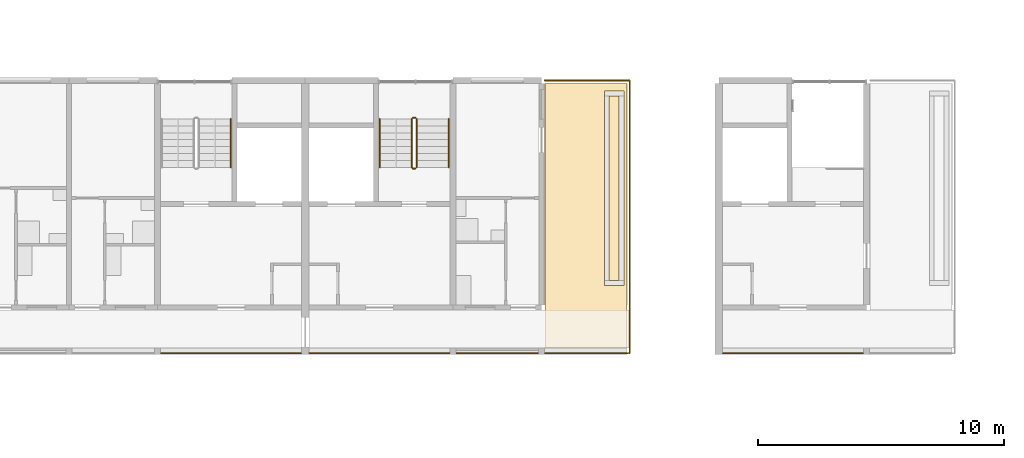
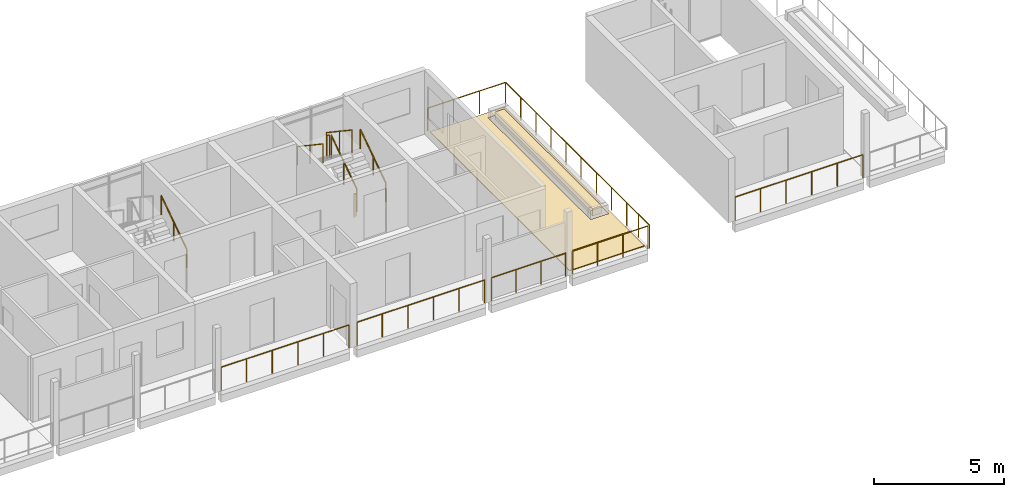
# One storey, part 81 of 94: 14 railings, 3 coverings.
"""IFC4 building model written with IfcOpenShell, lengths in metres."""

from ifc_helpers import new_model, si_unit, direction, frame, origin, origin_2d, place, context, subcontext, project, spatial, polyline, circle, outline, extrude, material, layer, layer_set, type_object, element, save


model = new_model("IFC4")

# Units and contexts
model_context = context("Model", 3, precision=1e-05, world=origin(), true_north=direction((0.0, 1.0)))
body_context = subcontext(model_context, "Body", "Model", "MODEL_VIEW")
ifc_project = project(units=[si_unit("LENGTHUNIT", "METRE"), si_unit("AREAUNIT", "SQUARE_METRE"), si_unit("VOLUMEUNIT", "CUBIC_METRE"), si_unit("PLANEANGLEUNIT", "RADIAN"), si_unit("MASSUNIT", "GRAM", prefix="KILO")], contexts=[model_context])

# Site, building, storey
site_placement = place(None, origin())
site = spatial("IfcSite", under=ifc_project, at=site_placement, CompositionType="ELEMENT")
building_placement = place(site_placement, origin())
building = spatial("IfcBuilding", under=site, at=building_placement, Name="Ridgestep Commons", CompositionType="ELEMENT")
storey_placement = place(building_placement, frame((0.0, 0.0, 24.0)))
storey = spatial("IfcBuildingStorey", under=building, at=storey_placement, Name="L08", CompositionType="ELEMENT", Elevation=24.0)

# Railings
ifc_material_1 = material(Name="Structural steel S355JR", Category="steel")
railing_type_1 = type_object("IfcRailingType", Name="Guard 1100", PredefinedType="GUARDRAIL", material=ifc_material_1)
railing_1_placement = place(storey_placement, frame((92.37890625, 67.821044921875, 0.0)))
element("IfcRailing", 1, at=railing_1_placement, inside=storey, type_object=railing_type_1, Name="Guard TD-B5R2-GD", PredefinedType="GUARDRAIL", context=body_context, shape_type="SweptSolid", body=[
    extrude(circle(Radius=0.02392578125, at=origin_2d()), frame((0.0, 0.0, 1.076171875), z_axis=(0.0, 1.0, 0.0), x_axis=(-1.0, 0.0, 0.0)), (0.0, 0.0, 1.0), 9.303955078125),
    extrude(circle(Radius=0.02392578125, at=origin_2d()), frame((0.0, 9.303955078125, 1.076171875), z_axis=(-1.0, 0.0, 0.0), x_axis=(0.0, -1.0, 0.0)), (0.0, 0.0, 1.0), 3.4580078125),
    extrude(circle(Radius=0.02099609375, at=origin_2d()), origin(), (0.0, 0.0, 1.0), 1.052001953125),
    extrude(circle(Radius=0.02099609375, at=origin_2d()), frame((0.0, 1.1630859375, 0.0)), (0.0, 0.0, 1.0), 1.052001953125),
    extrude(circle(Radius=0.02099609375, at=origin_2d()), frame((0.0, 2.325927734375, 0.0)), (0.0, 0.0, 1.0), 1.052001953125),
    extrude(circle(Radius=0.02099609375, at=origin_2d()), frame((0.0, 3.489013671875, 0.0)), (0.0, 0.0, 1.0), 1.052001953125),
    extrude(circle(Radius=0.02099609375, at=origin_2d()), frame((0.0, 4.65185546875, 0.0)), (0.0, 0.0, 1.0), 1.052001953125),
    extrude(circle(Radius=0.02099609375, at=origin_2d()), frame((0.0, 5.81494140625, 0.0)), (0.0, 0.0, 1.0), 1.052001953125),
    extrude(circle(Radius=0.02099609375, at=origin_2d()), frame((0.0, 6.97802734375, 0.0)), (0.0, 0.0, 1.0), 1.052001953125),
    extrude(circle(Radius=0.02099609375, at=origin_2d()), frame((0.0, 8.140869140625, 0.0)), (0.0, 0.0, 1.0), 1.052001953125),
    extrude(circle(Radius=0.02099609375, at=origin_2d()), frame((0.0, 9.303955078125, 0.0)), (0.0, 0.0, 1.0), 1.052001953125),
    extrude(circle(Radius=0.02099609375, at=origin_2d()), frame((-1.152587890625, 9.303955078125, 0.0)), (0.0, 0.0, 1.0), 1.052001953125),
    extrude(circle(Radius=0.02099609375, at=origin_2d()), frame((-2.305419921875, 9.303955078125, 0.0)), (0.0, 0.0, 1.0), 1.052001953125),
    extrude(circle(Radius=0.02099609375, at=origin_2d()), frame((-3.4580078125, 9.303955078125, 0.0)), (0.0, 0.0, 1.0), 1.052001953125),
])
railing_2_placement = place(storey_placement, frame((73.345947265625, 66.050048828125, 0.0)))
element("IfcRailing", 2, at=railing_2_placement, inside=storey, type_object=railing_type_1, Name="Gallery guard B 08.4", PredefinedType="GUARDRAIL", context=body_context, shape_type="SweptSolid", body=[
    extrude(circle(Radius=0.02392578125, at=origin_2d()), frame((0.0, 0.0, 1.076171875), z_axis=(1.0, 0.0, 0.0), x_axis=(0.0, 1.0, 0.0)), (0.0, 0.0, 1.0), 5.68310546875),
    extrude(circle(Radius=0.02099609375, at=origin_2d()), origin(), (0.0, 0.0, 1.0), 1.052001953125),
    extrude(circle(Radius=0.02099609375, at=origin_2d()), frame((1.13671875, 0.0, 0.0)), (0.0, 0.0, 1.0), 1.052001953125),
    extrude(circle(Radius=0.02099609375, at=origin_2d()), frame((2.273193359375, 0.0, 0.0)), (0.0, 0.0, 1.0), 1.052001953125),
    extrude(circle(Radius=0.02099609375, at=origin_2d()), frame((3.409912109375, 0.0, 0.0)), (0.0, 0.0, 1.0), 1.052001953125),
    extrude(circle(Radius=0.02099609375, at=origin_2d()), frame((4.54638671875, 0.0, 0.0)), (0.0, 0.0, 1.0), 1.052001953125),
    extrude(circle(Radius=0.02099609375, at=origin_2d()), frame((5.68310546875, 0.0, 0.0)), (0.0, 0.0, 1.0), 1.052001953125),
])
railing_3_placement = place(storey_placement, frame((79.37109375, 66.050048828125, 0.0)))
element("IfcRailing", 3, at=railing_3_placement, inside=storey, type_object=railing_type_1, Name="Gallery guard B 08.5", PredefinedType="GUARDRAIL", context=body_context, shape_type="SweptSolid", body=[
    extrude(circle(Radius=0.02392578125, at=origin_2d()), frame((0.0, 0.0, 1.076171875), z_axis=(1.0, 0.0, 0.0), x_axis=(0.0, 1.0, 0.0)), (0.0, 0.0, 1.0), 5.682861328125),
    extrude(circle(Radius=0.02099609375, at=origin_2d()), origin(), (0.0, 0.0, 1.0), 1.052001953125),
    extrude(circle(Radius=0.02099609375, at=origin_2d()), frame((1.136474609375, 0.0, 0.0)), (0.0, 0.0, 1.0), 1.052001953125),
    extrude(circle(Radius=0.02099609375, at=origin_2d()), frame((2.273193359375, 0.0, 0.0)), (0.0, 0.0, 1.0), 1.052001953125),
    extrude(circle(Radius=0.02099609375, at=origin_2d()), frame((3.40966796875, 0.0, 0.0)), (0.0, 0.0, 1.0), 1.052001953125),
    extrude(circle(Radius=0.02099609375, at=origin_2d()), frame((4.54638671875, 0.0, 0.0)), (0.0, 0.0, 1.0), 1.052001953125),
    extrude(circle(Radius=0.02099609375, at=origin_2d()), frame((5.682861328125, 0.0, 0.0)), (0.0, 0.0, 1.0), 1.052001953125),
])
railing_4_placement = place(storey_placement, frame((85.345947265625, 66.050048828125, 0.0)))
element("IfcRailing", 4, at=railing_4_placement, inside=storey, type_object=railing_type_1, Name="Gallery guard B 08.6", PredefinedType="GUARDRAIL", context=body_context, shape_type="SweptSolid", body=[
    extrude(circle(Radius=0.02392578125, at=origin_2d()), frame((0.0, 0.0, 1.076171875), z_axis=(1.0, 0.0, 0.0), x_axis=(0.0, 1.0, 0.0)), (0.0, 0.0, 1.0), 3.30810546875),
    extrude(circle(Radius=0.02099609375, at=origin_2d()), origin(), (0.0, 0.0, 1.0), 1.052001953125),
    extrude(circle(Radius=0.02099609375, at=origin_2d()), frame((1.102783203125, 0.0, 0.0)), (0.0, 0.0, 1.0), 1.052001953125),
    extrude(circle(Radius=0.02099609375, at=origin_2d()), frame((2.205322265625, 0.0, 0.0)), (0.0, 0.0, 1.0), 1.052001953125),
    extrude(circle(Radius=0.02099609375, at=origin_2d()), frame((3.30810546875, 0.0, 0.0)), (0.0, 0.0, 1.0), 1.052001953125),
])
railing_5_placement = place(storey_placement, frame((88.946044921875, 66.050048828125, 0.0)))
element("IfcRailing", 5, at=railing_5_placement, inside=storey, type_object=railing_type_1, Name="Gallery guard B 08.7", PredefinedType="GUARDRAIL", context=body_context, shape_type="SweptSolid", body=[
    extrude(circle(Radius=0.02392578125, at=origin_2d()), frame((0.0, 0.0, 1.076171875), z_axis=(1.0, 0.0, 0.0), x_axis=(0.0, 1.0, 0.0)), (0.0, 0.0, 1.0), 3.369873046875),
    extrude(circle(Radius=0.02099609375, at=origin_2d()), origin(), (0.0, 0.0, 1.0), 1.052001953125),
    extrude(circle(Radius=0.02099609375, at=origin_2d()), frame((1.123291015625, 0.0, 0.0)), (0.0, 0.0, 1.0), 1.052001953125),
    extrude(circle(Radius=0.02099609375, at=origin_2d()), frame((2.24658203125, 0.0, 0.0)), (0.0, 0.0, 1.0), 1.052001953125),
    extrude(circle(Radius=0.02099609375, at=origin_2d()), frame((3.369873046875, 0.0, 0.0)), (0.0, 0.0, 1.0), 1.052001953125),
])
railing_6_placement = place(storey_placement, frame((92.37890625, 66.050048828125, 0.0)))
element("IfcRailing", 6, at=railing_6_placement, inside=storey, type_object=railing_type_1, Name="Gallery end guard B 08.7E", PredefinedType="GUARDRAIL", context=body_context, shape_type="SweptSolid", body=[
    extrude(circle(Radius=0.02392578125, at=origin_2d()), frame((0.0, 0.0, 1.076171875), z_axis=(0.0, 1.0, 0.0), x_axis=(-1.0, 0.0, 0.0)), (0.0, 0.0, 1.0), 1.72900390625),
    extrude(circle(Radius=0.02099609375, at=origin_2d()), origin(), (0.0, 0.0, 1.0), 1.052001953125),
    extrude(circle(Radius=0.02099609375, at=origin_2d()), frame((0.0, 0.864501953125, 0.0)), (0.0, 0.0, 1.0), 1.052001953125),
    extrude(circle(Radius=0.02099609375, at=origin_2d()), frame((0.0, 1.72900390625, 0.0)), (0.0, 0.0, 1.0), 1.052001953125),
])
railing_7_placement = place(storey_placement, frame((96.1708984375, 66.050048828125, 0.0)))
element("IfcRailing", 7, at=railing_7_placement, inside=storey, type_object=railing_type_1, Name="Gallery guard B 08.1", PredefinedType="GUARDRAIL", context=body_context, shape_type="SweptSolid", body=[
    extrude(circle(Radius=0.02392578125, at=origin_2d()), frame((0.0, 0.0, 1.076171875), z_axis=(1.0, 0.0, 0.0), x_axis=(0.0, 1.0, 0.0)), (0.0, 0.0, 1.0), 5.68310546875),
    extrude(circle(Radius=0.02099609375, at=origin_2d()), origin(), (0.0, 0.0, 1.0), 1.052001953125),
    extrude(circle(Radius=0.02099609375, at=origin_2d()), frame((1.13671875, 0.0, 0.0)), (0.0, 0.0, 1.0), 1.052001953125),
    extrude(circle(Radius=0.02099609375, at=origin_2d()), frame((2.273193359375, 0.0, 0.0)), (0.0, 0.0, 1.0), 1.052001953125),
    extrude(circle(Radius=0.02099609375, at=origin_2d()), frame((3.409912109375, 0.0, 0.0)), (0.0, 0.0, 1.0), 1.052001953125),
    extrude(circle(Radius=0.02099609375, at=origin_2d()), frame((4.54638671875, 0.0, 0.0)), (0.0, 0.0, 1.0), 1.052001953125),
    extrude(circle(Radius=0.02099609375, at=origin_2d()), frame((5.68310546875, 0.0, 0.0)), (0.0, 0.0, 1.0), 1.052001953125),
])

# Covering
ifc_material_2 = material(Name="Planting soil")
ifc_layer_1 = layer(ifc_material_2, 0.35009765625)
ifc_layer_set_1 = layer_set([ifc_layer_1], Name="Planting soil 350")
covering_type_1 = type_object("IfcCoveringType", Name="Planting soil 350", PredefinedType="FLOORING", material=ifc_layer_set_1)
covering_1_placement = place(storey_placement, frame((0.0, 0.0, 0.010009765625)))
element("IfcCovering", 8, at=covering_1_placement, inside=storey, type_object=covering_type_1, Name="Planting soil B5R2", PredefinedType="FLOORING", context=body_context, shape_type="SweptSolid", body=[
    extrude(outline(polyline([(91.550048828125, 69.0), (91.949951171875, 69.0), (91.949951171875, 76.5), (91.550048828125, 76.5), (91.550048828125, 69.0)])), origin(), (0.0, 0.0, 1.0), 0.35009765625),
])

# Railings
ifc_material_3 = material(Name="Structural steel S355JR", Category="steel")
railing_type_2 = type_object("IfcRailingType", Name="Stair guard 1100", PredefinedType="GUARDRAIL", material=ifc_material_3)
railing_8_placement = place(storey_placement, frame((83.72509765625, 73.60009765625, 0.1875)))
element("IfcRailing", 9, at=railing_8_placement, inside=storey, type_object=railing_type_2, Name="L08 B5C stair guard 1", PredefinedType="GUARDRAIL", context=body_context, shape_type="SweptSolid", body=[
    extrude(circle(Radius=0.02392578125, at=origin_2d()), frame((0.0, 0.0, 1.076171875), z_axis=(0.0, 0.830902050051, 0.556418712142), x_axis=(-1.0, 0.0, 0.0)), (0.0, 0.0, 1.0), 2.35888671875),
    extrude(circle(Radius=0.02099609375, at=origin_2d()), origin(), (0.0, 0.0, 1.0), 1.052001953125),
    extrude(circle(Radius=0.02099609375, at=origin_2d()), frame((0.0, 0.97998046875, 0.65625)), (0.0, 0.0, 1.0), 1.052001953125),
    extrude(circle(Radius=0.02099609375, at=origin_2d()), frame((0.0, 1.9599609375, 1.3125)), (0.0, 0.0, 1.0), 1.052001953125),
])
railing_9_placement = place(storey_placement, frame((83.675048828125, 75.610107421875, 1.5)))
element("IfcRailing", 10, at=railing_9_placement, inside=storey, type_object=railing_type_2, Name="L08 B5C stair guard 2", PredefinedType="GUARDRAIL", context=body_context, shape_type="SweptSolid", body=[
    extrude(circle(Radius=0.02392578125, at=origin_2d()), frame((0.0, 0.0, 1.076171875), z_axis=(-1.0, 0.0, 0.0), x_axis=(0.0, -1.0, 0.0)), (0.0, 0.0, 1.0), 0.10009765625),
    extrude(circle(Radius=0.02099609375, at=origin_2d()), origin(), (0.0, 0.0, 1.0), 1.052001953125),
    extrude(circle(Radius=0.02099609375, at=origin_2d()), frame((-0.10009765625, 0.0, 0.0)), (0.0, 0.0, 1.0), 1.052001953125),
])
railing_10_placement = place(storey_placement, frame((83.52490234375, 75.56005859375, 1.6875)))
element("IfcRailing", 11, at=railing_10_placement, inside=storey, type_object=railing_type_2, Name="L08 B5C stair guard 3", PredefinedType="GUARDRAIL", context=body_context, shape_type="SweptSolid", body=[
    extrude(circle(Radius=0.02392578125, at=origin_2d()), frame((0.0, 0.0, 1.076171875), z_axis=(0.0, -0.830902050051, 0.556418712142), x_axis=(1.0, 0.0, 0.0)), (0.0, 0.0, 1.0), 2.35888671875),
    extrude(circle(Radius=0.02099609375, at=origin_2d()), origin(), (0.0, 0.0, 1.0), 1.052001953125),
    extrude(circle(Radius=0.02099609375, at=origin_2d()), frame((0.0, -0.97998046875, 0.65625)), (0.0, 0.0, 1.0), 1.052001953125),
    extrude(circle(Radius=0.02099609375, at=origin_2d()), frame((0.0, -1.9599609375, 1.3125)), (0.0, 0.0, 1.0), 1.052001953125),
])
railing_11_placement = place(storey_placement, frame((83.675048828125, 73.550048828125, 0.0)))
element("IfcRailing", 12, at=railing_11_placement, inside=storey, type_object=railing_type_2, Name="L08 B5C stair guard 4", PredefinedType="GUARDRAIL", context=body_context, shape_type="SweptSolid", body=[
    extrude(circle(Radius=0.02392578125, at=origin_2d()), frame((0.0, 0.0, 1.076171875), z_axis=(-1.0, 0.0, 0.0), x_axis=(0.0, -1.0, 0.0)), (0.0, 0.0, 1.0), 0.10009765625),
    extrude(circle(Radius=0.02099609375, at=origin_2d()), origin(), (0.0, 0.0, 1.0), 1.052001953125),
    extrude(circle(Radius=0.02099609375, at=origin_2d()), frame((-0.10009765625, 0.0, 0.0)), (0.0, 0.0, 1.0), 1.052001953125),
])
ifc_material_4 = material(Name="Structural steel S355JR", Category="steel")
railing_type_3 = type_object("IfcRailingType", Name="Stair handrail 900", PredefinedType="HANDRAIL", material=ifc_material_4)
for number, where, name in (
    (13, (76.175048828125, 73.60009765625, 0.1875), "L08 B4C stair handrail 1"),
    (14, (85.02490234375, 73.60009765625, 0.1875), "L08 B5C stair handrail 1"),
):
    element("IfcRailing", number, at=place(storey_placement, frame(where)), inside=storey, type_object=railing_type_3, Name=name, PredefinedType="HANDRAIL", context=body_context, shape_type="SweptSolid", body=[
        extrude(circle(Radius=0.02392578125, at=origin_2d()), frame((0.0, 0.0, 0.8759765625), z_axis=(0.0, 0.830902050051, 0.556418712142), x_axis=(-1.0, 0.0, 0.0)), (0.0, 0.0, 1.0), 2.35888671875),
        extrude(circle(Radius=0.02099609375, at=origin_2d()), origin(), (0.0, 0.0, 1.0), 0.851806640625),
        extrude(circle(Radius=0.02099609375, at=origin_2d()), frame((0.0, 0.97998046875, 0.65625)), (0.0, 0.0, 1.0), 0.851806640625),
        extrude(circle(Radius=0.02099609375, at=origin_2d()), frame((0.0, 1.9599609375, 1.3125)), (0.0, 0.0, 1.0), 0.851806640625),
    ])
railing_12_placement = place(storey_placement, frame((82.22509765625, 75.56005859375, 1.6875)))
element("IfcRailing", 15, at=railing_12_placement, inside=storey, type_object=railing_type_3, Name="L08 B5C stair handrail 2", PredefinedType="HANDRAIL", context=body_context, shape_type="SweptSolid", body=[
    extrude(circle(Radius=0.02392578125, at=origin_2d()), frame((0.0, 0.0, 0.8759765625), z_axis=(0.0, -0.830902050051, 0.556418712142), x_axis=(1.0, 0.0, 0.0)), (0.0, 0.0, 1.0), 2.35888671875),
    extrude(circle(Radius=0.02099609375, at=origin_2d()), origin(), (0.0, 0.0, 1.0), 0.851806640625),
    extrude(circle(Radius=0.02099609375, at=origin_2d()), frame((0.0, -0.97998046875, 0.65625)), (0.0, 0.0, 1.0), 0.851806640625),
    extrude(circle(Radius=0.02099609375, at=origin_2d()), frame((0.0, -1.9599609375, 1.3125)), (0.0, 0.0, 1.0), 0.851806640625),
])

# Coverings
ifc_material_5 = material(Name="Bitumen membrane, two layer")
ifc_layer_2 = layer(ifc_material_5, 0.010009765625)
ifc_layer_set_2 = layer_set([ifc_layer_2], Name="Terrace membrane 10")
covering_type_2 = type_object("IfcCoveringType", Name="Terrace membrane 10", PredefinedType="ROOFING", material=ifc_layer_set_2)
covering_2_placement = place(storey_placement, origin())
element("IfcCovering", 16, at=covering_2_placement, inside=storey, type_object=covering_type_2, Name="Terrace membrane B5R2", PredefinedType="ROOFING", context=body_context, shape_type="SweptSolid", body=[
    extrude(outline(polyline([(92.27490234375, 66.25), (92.27490234375, 77.0), (88.949951171875, 77.0), (88.949951171875, 66.25), (92.27490234375, 66.25)]), holes=[polyline([(92.14990234375, 68.800048828125), (92.14990234375, 76.699951171875), (91.35009765625, 76.699951171875), (91.35009765625, 68.800048828125), (92.14990234375, 68.800048828125)])]), origin(), (0.0, 0.0, 1.0), 0.010009765625),
])
ifc_material_6 = material(Name="Concrete paving slab", Category="concrete")
ifc_layer_3 = layer(ifc_material_6, 0.030029296875)
ifc_layer_set_3 = layer_set([ifc_layer_3], Name="Terrace paving 30")
covering_type_3 = type_object("IfcCoveringType", Name="Terrace paving 30", PredefinedType="FLOORING", material=ifc_layer_set_3)
covering_3_placement = place(storey_placement, frame((0.0, 0.0, 0.010009765625)))
element("IfcCovering", 17, at=covering_3_placement, inside=storey, type_object=covering_type_3, Name="Terrace paving B5R2", PredefinedType="FLOORING", context=body_context, shape_type="SweptSolid", body=[
    extrude(outline(polyline([(92.27490234375, 66.25), (92.27490234375, 77.0), (88.949951171875, 77.0), (88.949951171875, 66.25), (92.27490234375, 66.25)]), holes=[polyline([(92.14990234375, 68.800048828125), (92.14990234375, 76.699951171875), (91.35009765625, 76.699951171875), (91.35009765625, 68.800048828125), (92.14990234375, 68.800048828125)])]), origin(), (0.0, 0.0, 1.0), 0.030029296875),
])

save(model, "model.ifc")
